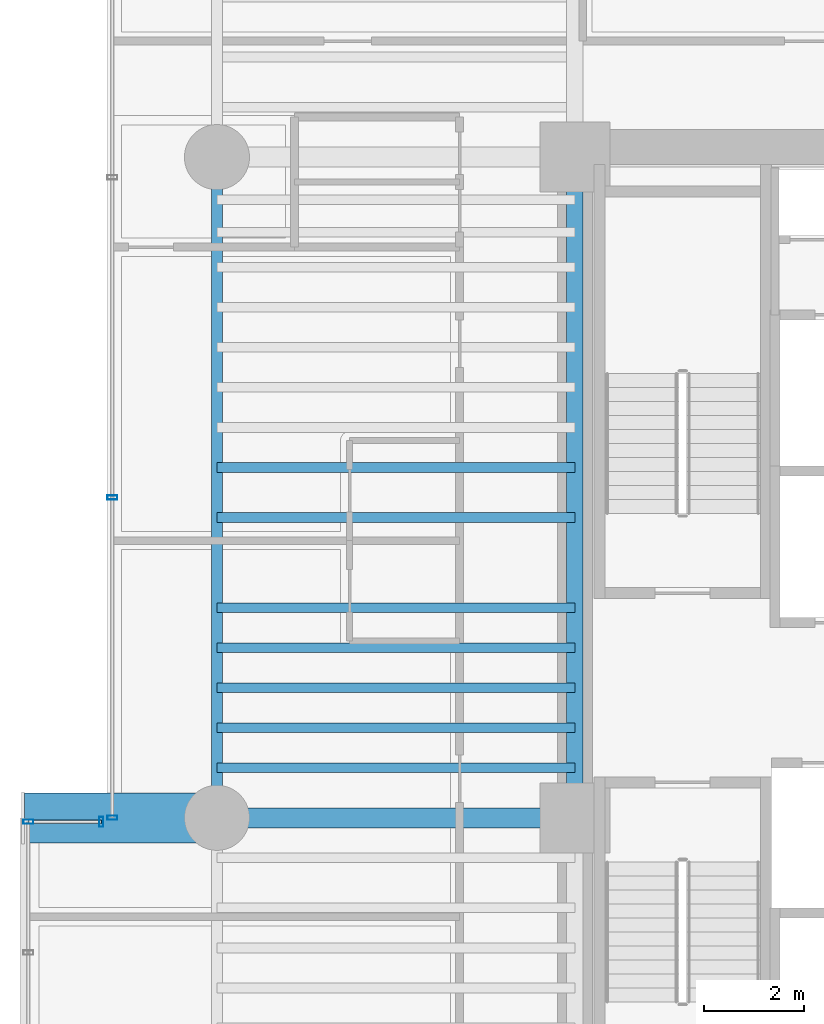
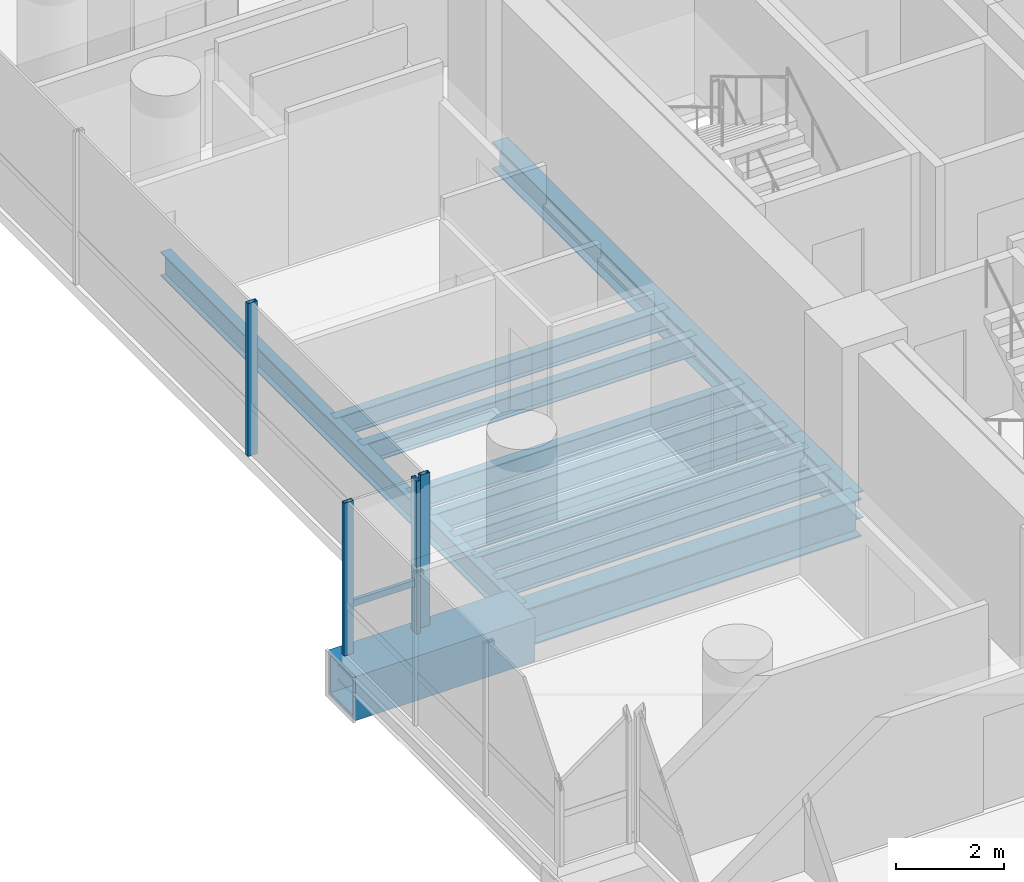
# One storey, part 8 of 40: 11 beams, 5 members, 3 elements without a shape of their own.
"""IFC4 building model written with IfcOpenShell, lengths in metres."""

from ifc_helpers import new_model, si_unit, direction, frame, origin, origin_2d, place, context, subcontext, project, spatial, hollow_rectangle, i_section, extrude, source, transform, mapped, material, material_profile, profile_set, type_object, element, aggregate, save


model = new_model("IFC4")

# Units and contexts
model_context = context("Model", 3, precision=1e-05, world=origin(), true_north=direction((0.0, 1.0)))
body_context = subcontext(model_context, "Body", "Model", "MODEL_VIEW")
ifc_project = project(units=[si_unit("LENGTHUNIT", "METRE"), si_unit("AREAUNIT", "SQUARE_METRE"), si_unit("VOLUMEUNIT", "CUBIC_METRE"), si_unit("PLANEANGLEUNIT", "RADIAN"), si_unit("MASSUNIT", "GRAM", prefix="KILO")], contexts=[model_context])

# Site, building, storey
site_placement = place(None, origin())
site = spatial("IfcSite", under=ifc_project, at=site_placement, CompositionType="ELEMENT")
building_placement = place(site_placement, origin())
building = spatial("IfcBuilding", under=site, at=building_placement, Name="Valdorenza Pilgrim Sanctuary Tower", CompositionType="ELEMENT")
storey_placement = place(building_placement, frame((0.0, 0.0, 92.60009765625)))
storey = spatial("IfcBuildingStorey", under=building, at=storey_placement, Name="L23", CompositionType="ELEMENT", Elevation=92.60009765625)

# Beams
ifc_material_1 = material(Name="Steel ASTM A992 Grade 50", Category="steel")
ifc_material_profile_1 = material_profile(ifc_material_1, i_section(OverallWidth=0.214111328125, OverallDepth=0.549072265625, WebThickness=0.0146484375, FlangeThickness=0.023681640625, at=origin_2d()), Name="W21X93")
ifc_profile_set_1 = profile_set([ifc_material_profile_1], Name="Steel ASTM A992 Grade 50")
beam_type_1 = type_object("IfcBeamType", Name="STR-BM-SPN-W21A", PredefinedType="SPANDREL", material=ifc_profile_set_1)
shared_shape_1 = source(origin(), body_context, "Body", "SweptSolid", [
    extrude(i_section(OverallWidth=0.214111328125, OverallDepth=0.549072265625, WebThickness=0.0146484375, FlangeThickness=0.023681640625, at=origin_2d()), origin(), (0.0, 0.0, 1.0), 13.2001953125),
])
beam_1_placement = place(storey_placement, frame((-29.800048828125, -2.60009765625, -0.5146484375), z_axis=(0.0, 1.0, 0.0), x_axis=(-1.0, 0.0, 0.0)))
element("IfcBeam", 1, at=beam_1_placement, inside=storey, type_object=beam_type_1, Name="L23 Spandrel Beam WA-W-M0N1", PredefinedType="SPANDREL", context=body_context, shape_type="MappedRepresentation", body=[
    mapped(shared_shape_1, transform((0.0, 0.0, 0.0), x_axis=(1.0, 0.0, 0.0), y_axis=(0.0, 1.0, 0.0), z_axis=(0.0, 0.0, 1.0), scale=1.0)),
])
ifc_material_profile_2 = material_profile(ifc_material_1, i_section(OverallWidth=0.323974609375, OverallDepth=0.611083984375, WebThickness=0.0126953125, FlangeThickness=0.01904296875, at=origin_2d()), Name="W24X104")
ifc_profile_set_2 = profile_set([ifc_material_profile_2], Name="Steel ASTM A992 Grade 50")
beam_type_2 = type_object("IfcBeamType", Name="STR-BM-GRD-W24B", PredefinedType="BEAM", material=ifc_profile_set_2)
shared_shape_2 = source(origin(), body_context, "Body", "SweptSolid", [
    extrude(i_section(OverallWidth=0.323974609375, OverallDepth=0.611083984375, WebThickness=0.0126953125, FlangeThickness=0.01904296875, at=origin_2d()), origin(), (0.0, 0.0, 1.0), 13.2001953125),
])
beam_2_placement = place(storey_placement, frame((-22.64990234375, -2.60009765625, -0.545654296875), z_axis=(0.0, 1.0, 0.0), x_axis=(-1.0, 0.0, 0.0)))
element("IfcBeam", 2, at=beam_2_placement, inside=storey, type_object=beam_type_2, Name="L23 Core Tie Girder CA-W-M0N1", PredefinedType="BEAM", context=body_context, shape_type="MappedRepresentation", body=[
    mapped(shared_shape_2, transform((0.0, 0.0, 0.0), x_axis=(1.0, 0.0, 0.0), y_axis=(0.0, 1.0, 0.0), z_axis=(0.0, 0.0, 1.0), scale=1.0)),
])
ifc_material_profile_3 = material_profile(ifc_material_1, i_section(OverallWidth=0.193115234375, OverallDepth=0.466064453125, WebThickness=0.011474609375, FlangeThickness=0.01904296875, at=origin_2d()), Name="W18X65")
ifc_profile_set_3 = profile_set([ifc_material_profile_3], Name="Steel ASTM A992 Grade 50")
beam_type_3 = type_object("IfcBeamType", Name="STR-BM-JST-W18A", PredefinedType="JOIST", material=ifc_profile_set_3)
shared_shape_3 = source(origin(), body_context, "Body", "SweptSolid", [
    extrude(i_section(OverallWidth=0.193115234375, OverallDepth=0.466064453125, WebThickness=0.011474609375, FlangeThickness=0.01904296875, at=origin_2d()), origin(), (0.0, 0.0, 1.0), 7.150146484375),
])
for number, where, z_axis, x_axis, name in (
    (3, (-29.800048828125, -1.60009765625, -0.47314453125), (1.0, 0.0, 0.0), (0.0, 1.0, 0.0), "L23 Composite Floor Joist JST-WA-10"),
    (4, (-29.800048828125, -0.800048828125, -0.47314453125), (1.0, 0.0, 0.0), (0.0, 1.0, 0.0), "L23 Composite Floor Joist JST-WA-11"),
    (5, (-29.800048828125, 0.0, -0.47314453125), (1.0, 0.0, 0.0), (0.0, 1.0, 0.0), "L23 Composite Floor Joist JST-WA-12"),
    (6, (-29.800048828125, 0.800048828125, -0.47314453125), (1.0, 0.0, 0.0), (0.0, 1.0, 0.0), "L23 Composite Floor Joist JST-WA-13"),
    (7, (-29.800048828125, 1.60009765625, -0.47314453125), (1.0, 0.0, 0.0), (0.0, 1.0, 0.0), "L23 Composite Floor Joist JST-WA-14"),
    (8, (-29.800048828125, 3.39990234375, -0.47314453125), (1.0, 0.0, 0.0), (0.0, 1.0, 0.0), "L23 Composite Floor Joist JST-WA-15"),
    (9, (-29.800048828125, 4.39990234375, -0.47314453125), (1.0, 0.0, 0.0), (0.0, 1.0, 0.0), "L23 Composite Floor Joist JST-WA-16"),
):
    element("IfcBeam", number, at=place(storey_placement, frame(where, z_axis=z_axis, x_axis=x_axis)), inside=storey, type_object=beam_type_3, Name=name, PredefinedType="JOIST", context=body_context, shape_type="MappedRepresentation", body=[
        mapped(shared_shape_3, transform((0.0, 0.0, 0.0), x_axis=(1.0, 0.0, 0.0), y_axis=(0.0, 1.0, 0.0), z_axis=(0.0, 0.0, 1.0), scale=1.0)),
    ])
ifc_material_2 = material(Name="Steel ASTM A572 Grade 42", Category="steel")
ifc_material_profile_4 = material_profile(ifc_material_2, hollow_rectangle(XDim=1.0, YDim=1.0, WallThickness=0.080078125, at=origin_2d()), Name="BOX 1000x1000x80")
ifc_profile_set_4 = profile_set([ifc_material_profile_4], Name="Steel ASTM A572 Grade 42")
beam_type_4 = type_object("IfcBeamType", Name="STR-BM-PROW-CANT", PredefinedType="BEAM", material=ifc_profile_set_4)
shared_shape_4 = source(origin(), body_context, "Body", "SweptSolid", [
    extrude(hollow_rectangle(XDim=1.0, YDim=1.0, WallThickness=0.080078125, at=origin_2d()), origin(), (0.0, 0.0, 1.0), 3.849853515625),
])
beam_3_placement = place(storey_placement, frame((-29.800048828125, -2.60009765625, -0.739990234375), z_axis=(-1.0, 0.0, 0.0), x_axis=(0.0, -1.0, 0.0)))
element("IfcBeam", 10, at=beam_3_placement, inside=storey, type_object=beam_type_4, Name="L23 Glass Box Cantilever Beam BOX-WA-L23-CT-N", PredefinedType="BEAM", context=body_context, shape_type="MappedRepresentation", body=[
    mapped(shared_shape_4, transform((0.0, 0.0, 0.0), x_axis=(1.0, 0.0, 0.0), y_axis=(0.0, 1.0, 0.0), z_axis=(0.0, 0.0, 1.0), scale=1.0)),
])
ifc_material_profile_5 = material_profile(ifc_material_1, i_section(OverallWidth=0.39990234375, OverallDepth=0.862060546875, WebThickness=0.019775390625, FlangeThickness=0.032470703125, at=origin_2d()), Name="W33X221")
ifc_profile_set_5 = profile_set([ifc_material_profile_5], Name="Steel ASTM A992 Grade 50")
beam_type_5 = type_object("IfcBeamType", Name="STR-BM-GRD-W33", PredefinedType="BEAM", material=ifc_profile_set_5)
shared_shape_5 = source(origin(), body_context, "Body", "SweptSolid", [
    extrude(i_section(OverallWidth=0.39990234375, OverallDepth=0.862060546875, WebThickness=0.019775390625, FlangeThickness=0.032470703125, at=origin_2d()), origin(), (0.0, 0.0, 1.0), 7.150146484375),
])
beam_4_placement = place(storey_placement, frame((-29.800048828125, -2.60009765625, -0.671142578125), z_axis=(1.0, 0.0, 0.0), x_axis=(0.0, 1.0, 0.0)))
element("IfcBeam", 11, at=beam_4_placement, inside=storey, type_object=beam_type_5, Name="L23 Floor Girder WA-XW-M0", PredefinedType="BEAM", context=body_context, shape_type="MappedRepresentation", body=[
    mapped(shared_shape_5, transform((0.0, 0.0, 0.0), x_axis=(1.0, 0.0, 0.0), y_axis=(0.0, 1.0, 0.0), z_axis=(0.0, 0.0, 1.0), scale=1.0)),
])

# Curtain wall, members
ifc_material_3 = material(Name="Curtain-wall IGU glazing", Category="glass")
curtain_wall_type = type_object("IfcCurtainWallType", Name="CW-SYS-02", PredefinedType="NOTDEFINED", material=ifc_material_3)
curtain_wall_1_placement = place(storey_placement, origin())
curtain_wall_1 = element("IfcCurtainWall", 12, at=curtain_wall_1_placement, inside=storey, type_object=curtain_wall_type, Name="L23 Curtain Wall CW-L23-1-1S2", PredefinedType="NOTDEFINED")
ifc_material_4 = material(Name="Anodised aluminium AW-6060", Category="aluminium")
ifc_material_profile_6 = material_profile(ifc_material_4, hollow_rectangle(XDim=0.0849609375, YDim=0.199951171875, WallThickness=0.0048828125, at=origin_2d()), Name="ALU-M 200x85x5")
ifc_profile_set_6 = profile_set([ifc_material_profile_6], Name="Anodised aluminium AW-6060")
member_type_1 = type_object("IfcMemberType", Name="CW-MUL-02", PredefinedType="MULLION", material=ifc_profile_set_6)
shared_shape_6 = source(origin(), body_context, "Body", "SweptSolid", [
    extrude(hollow_rectangle(XDim=0.0849609375, YDim=0.199951171875, WallThickness=0.0048828125, at=origin_2d()), origin(), (0.0, 0.0, 1.0), 3.4599609375),
])
member_1_placement = place(storey_placement, frame((-31.889892578125, -2.60009765625, 0.0), z_axis=(0.0, 0.0, 1.0), x_axis=(0.0, 1.0, 0.0)))
member_1 = element("IfcMember", 13, at=member_1_placement, type_object=member_type_1, Name="CW-L23-1-1S2 Mullion 1", PredefinedType="MULLION", context=body_context, shape_type="MappedRepresentation", body=[
    mapped(shared_shape_6, transform((0.0, 0.0, 0.0), x_axis=(1.0, 0.0, 0.0), y_axis=(0.0, 1.0, 0.0), z_axis=(0.0, 0.0, 1.0), scale=1.0)),
])
member_2_placement = place(storey_placement, frame((-31.889892578125, 3.798095703125, 0.0), z_axis=(0.0, 0.0, 1.0), x_axis=(0.0, 1.0, 0.0)))
member_2 = element("IfcMember", 14, at=member_2_placement, type_object=member_type_1, Name="CW-L23-1-1S2 Mullion 2", PredefinedType="MULLION", context=body_context, shape_type="MappedRepresentation", body=[
    mapped(shared_shape_6, transform((0.0, 0.0, 0.0), x_axis=(1.0, 0.0, 0.0), y_axis=(0.0, 1.0, 0.0), z_axis=(0.0, 0.0, 1.0), scale=1.0)),
])
aggregate(curtain_wall_1, [member_1, member_2])

# Curtain wall, member
curtain_wall_2_placement = place(storey_placement, origin())
curtain_wall_2 = element("IfcCurtainWall", 15, at=curtain_wall_2_placement, inside=storey, type_object=curtain_wall_type, Name="L23 Curtain Wall CW-L23-BOX-WA-L23-F", PredefinedType="NOTDEFINED")
member_3_placement = place(storey_placement, frame((-33.570068359375, -2.679931640625, 0.0), z_axis=(0.0, 0.0, 1.0), x_axis=(0.0, 1.0, 0.0)))
member_3 = element("IfcMember", 16, at=member_3_placement, type_object=member_type_1, Name="CW-L23-BOX-WA-L23-F Mullion 4", PredefinedType="MULLION", context=body_context, shape_type="MappedRepresentation", body=[
    mapped(shared_shape_6, transform((0.0, 0.0, 0.0), x_axis=(1.0, 0.0, 0.0), y_axis=(0.0, 1.0, 0.0), z_axis=(0.0, 0.0, 1.0), scale=1.0)),
])
aggregate(curtain_wall_2, [member_3])

# Curtain wall, members
curtain_wall_3_placement = place(storey_placement, origin())
curtain_wall_3 = element("IfcCurtainWall", 17, at=curtain_wall_3_placement, inside=storey, type_object=curtain_wall_type, Name="L23 Curtain Wall CW-L23-BOX-WA-L23-N", PredefinedType="NOTDEFINED")
member_4_placement = place(storey_placement, frame((-32.110107421875, -2.679931640625, 0.0), z_axis=(0.0, 0.0, 1.0), x_axis=(1.0, 0.0, 0.0)))
member_4 = element("IfcMember", 18, at=member_4_placement, type_object=member_type_1, Name="CW-L23-BOX-WA-L23-N Mullion 2", PredefinedType="MULLION", context=body_context, shape_type="MappedRepresentation", body=[
    mapped(shared_shape_6, transform((0.0, 0.0, 0.0), x_axis=(1.0, 0.0, 0.0), y_axis=(0.0, 1.0, 0.0), z_axis=(0.0, 0.0, 1.0), scale=1.0)),
])
ifc_material_profile_7 = material_profile(ifc_material_4, hollow_rectangle(XDim=0.074951171875, YDim=0.14990234375, WallThickness=0.00390625, at=origin_2d()), Name="ALU-T 150x75x4")
ifc_profile_set_7 = profile_set([ifc_material_profile_7], Name="Anodised aluminium AW-6060")
member_type_2 = type_object("IfcMemberType", Name="CW-TRN-02", PredefinedType="USERDEFINED", material=ifc_profile_set_7)
shared_shape_7 = source(origin(), body_context, "Body", "SweptSolid", [
    extrude(hollow_rectangle(XDim=0.074951171875, YDim=0.14990234375, WallThickness=0.00390625, at=origin_2d()), origin(), (0.0, 0.0, 1.0), 1.4599609375),
])
member_5_placement = place(storey_placement, frame((-33.570068359375, -2.679931640625, 1.119873046875), z_axis=(1.0, 0.0, 0.0), x_axis=(0.0, 1.0, 0.0)))
member_5 = element("IfcMember", 19, at=member_5_placement, type_object=member_type_2, Name="CW-L23-BOX-WA-L23-N Transom 1", ObjectType="TRANSOM", PredefinedType="USERDEFINED", context=body_context, shape_type="MappedRepresentation", body=[
    mapped(shared_shape_7, transform((0.0, 0.0, 0.0), x_axis=(1.0, 0.0, 0.0), y_axis=(0.0, 1.0, 0.0), z_axis=(0.0, 0.0, 1.0), scale=1.0)),
])
aggregate(curtain_wall_3, [member_4, member_5])

save(model, "model.ifc")
